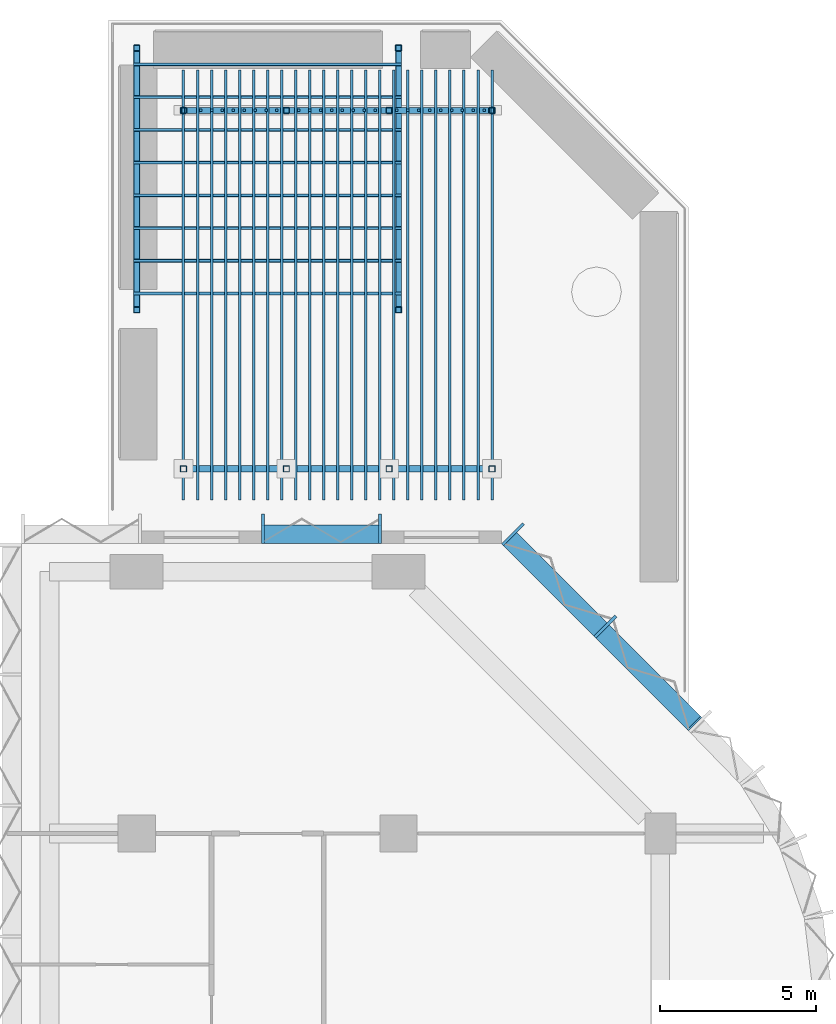
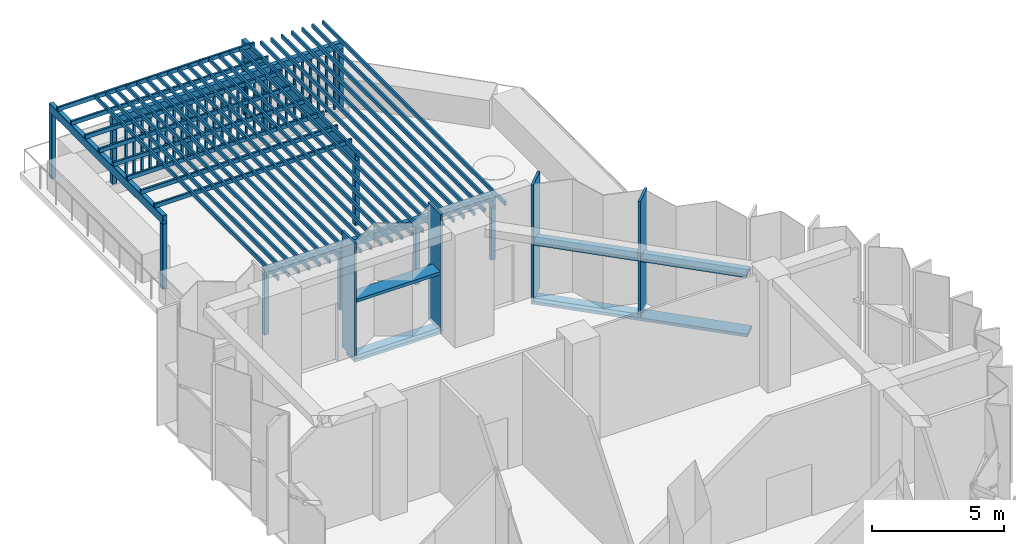
# One storey, part 4 of 15: 81 members, 2 elements without a shape of their own.
"""IFC4 building model written with IfcOpenShell, lengths in metres."""

from ifc_helpers import new_model, si_unit, direction, frame, origin, origin_2d, place, context, subcontext, project, spatial, rectangle, hollow_rectangle, extrude, material, material_profile, profile_set, type_object, element, aggregate, save


model = new_model("IFC4")

# Units and contexts
model_context = context("Model", 3, precision=1e-05, world=origin(), true_north=direction((0.0, 1.0)))
body_context = subcontext(model_context, "Body", "Model", "MODEL_VIEW")
ifc_project = project(units=[si_unit("LENGTHUNIT", "METRE"), si_unit("AREAUNIT", "SQUARE_METRE"), si_unit("VOLUMEUNIT", "CUBIC_METRE"), si_unit("PLANEANGLEUNIT", "RADIAN"), si_unit("MASSUNIT", "GRAM", prefix="KILO")], contexts=[model_context])

# Site, building, storey
site_placement = place(None, origin())
site = spatial("IfcSite", under=ifc_project, at=site_placement, CompositionType="ELEMENT")
building_placement = place(site_placement, origin())
building = spatial("IfcBuilding", under=site, at=building_placement, Name="Brevane Broadcast Tower", CompositionType="ELEMENT")
storey_placement = place(building_placement, frame((0.0, 0.0, 156.5)))
storey = spatial("IfcBuildingStorey", under=building, at=storey_placement, Name="L39", CompositionType="ELEMENT", Elevation=156.5)

# Curtain wall, members
ifc_material_1 = material(Name="Aluminium 6063-T6 bronze anodised", Category="aluminium")
curtain_wall_type = type_object("IfcCurtainWallType", Name="CW-4 curtain wall", PredefinedType="NOTDEFINED", material=ifc_material_1)
curtain_wall_1_placement = place(storey_placement, origin())
curtain_wall_1 = element("IfcCurtainWall", 1, at=curtain_wall_1_placement, inside=storey, type_object=curtain_wall_type, Name="CW-4 sky lobby unit L39 north arm north-east chamfer", PredefinedType="NOTDEFINED")
ifc_material_profile_1 = material_profile(ifc_material_1, rectangle(XDim=0.949951171875, YDim=0.10009765625, at=origin_2d()), Name="RECT 100x950")
ifc_profile_set_1 = profile_set([ifc_material_profile_1], Name="Aluminium 6063-T6 bronze anodised")
member_type_1 = type_object("IfcMemberType", Name="CW-4 mullion 100x950", PredefinedType="MULLION", material=ifc_profile_set_1)
member_1_placement = place(storey_placement, frame((23.435791015625, 48.635986328125, -0.159912109375), z_axis=(0.0, 0.0, 1.0), x_axis=(-0.707106781187, -0.707106781187, 0.0)))
member_1 = element("IfcMember", 2, at=member_1_placement, type_object=member_type_1, Name="CW-4 mullion", PredefinedType="MULLION", context=body_context, shape_type="SweptSolid", body=[
    extrude(rectangle(XDim=0.949951171875, YDim=0.10009765625, at=origin_2d()), origin(), (0.0, 0.0, 1.0), 5.35986328125),
])
member_2_placement = place(storey_placement, frame((20.47119140625, 51.6005859375, -0.159912109375), z_axis=(0.0, 0.0, 1.0), x_axis=(-0.707106781187, -0.707106781187, 0.0)))
member_2 = element("IfcMember", 3, at=member_2_placement, type_object=member_type_1, Name="CW-4 mullion", PredefinedType="MULLION", context=body_context, shape_type="SweptSolid", body=[
    extrude(rectangle(XDim=0.949951171875, YDim=0.10009765625, at=origin_2d()), origin(), (0.0, 0.0, 1.0), 5.35986328125),
])

curtain_wall_2_placement = place(storey_placement, origin())
curtain_wall_2 = element("IfcCurtainWall", 4, at=curtain_wall_2_placement, inside=storey, type_object=curtain_wall_type, Name="CW-4 sky lobby unit L39 north end", PredefinedType="NOTDEFINED")
member_3_placement = place(storey_placement, frame((16.199951171875, 51.77490234375, -0.159912109375), z_axis=(0.0, 0.0, 1.0), x_axis=(0.0, -1.0, 0.0)))
member_3 = element("IfcMember", 5, at=member_3_placement, type_object=member_type_1, Name="CW-4 mullion", PredefinedType="MULLION", context=body_context, shape_type="SweptSolid", body=[
    extrude(rectangle(XDim=0.949951171875, YDim=0.10009765625, at=origin_2d()), origin(), (0.0, 0.0, 1.0), 5.35986328125),
])
member_4_placement = place(storey_placement, frame((12.449951171875, 51.77490234375, -0.159912109375), z_axis=(0.0, 0.0, 1.0), x_axis=(0.0, -1.0, 0.0)))
member_4 = element("IfcMember", 6, at=member_4_placement, type_object=member_type_1, Name="CW-4 mullion", PredefinedType="MULLION", context=body_context, shape_type="SweptSolid", body=[
    extrude(rectangle(XDim=0.949951171875, YDim=0.10009765625, at=origin_2d()), origin(), (0.0, 0.0, 1.0), 5.35986328125),
])

# Member
ifc_material_profile_2 = material_profile(ifc_material_1, rectangle(XDim=0.60009765625, YDim=0.139892578125, at=origin_2d()), Name="RECT 140x600")
ifc_profile_set_2 = profile_set([ifc_material_profile_2], Name="Aluminium 6063-T6 bronze anodised")
member_type_2 = type_object("IfcMemberType", Name="CW-4 transom 140x600", PredefinedType="USERDEFINED", material=ifc_profile_set_2)
member_5_placement = place(storey_placement, frame((26.31201171875, 45.51220703125, -0.22998046875), z_axis=(-0.707106781187, 0.707106781187, 0.0), x_axis=(-0.707106781187, -0.707106781187, 0.0)))
member_5 = element("IfcMember", 7, at=member_5_placement, type_object=member_type_2, Name="CW-4 transom", ObjectType="TRANSOM", PredefinedType="USERDEFINED", context=body_context, shape_type="SweptSolid", body=[
    extrude(rectangle(XDim=0.60009765625, YDim=0.139892578125, at=origin_2d()), origin(), (0.0, 0.0, 1.0), 8.4853515625),
])

member_6_placement = place(storey_placement, frame((26.27685546875, 45.547607421875, 2.5), z_axis=(-0.707136247038, 0.707077314107, 0.0), x_axis=(-0.707077314107, -0.707136247038, 0.0)))
member_6 = element("IfcMember", 8, at=member_6_placement, type_object=member_type_2, Name="CW-4 transom", ObjectType="TRANSOM", PredefinedType="USERDEFINED", context=body_context, shape_type="SweptSolid", body=[
    extrude(rectangle(XDim=0.60009765625, YDim=0.139892578125, at=origin_2d()), origin(), (0.0, 0.0, 1.0), 4.142578125),
])

member_7_placement = place(storey_placement, frame((23.27685546875, 48.547607421875, 2.5), z_axis=(-0.707136247038, 0.707077314107, 0.0), x_axis=(-0.707077314107, -0.707136247038, 0.0)))
member_7 = element("IfcMember", 9, at=member_7_placement, type_object=member_type_2, Name="CW-4 transom", ObjectType="TRANSOM", PredefinedType="USERDEFINED", context=body_context, shape_type="SweptSolid", body=[
    extrude(rectangle(XDim=0.60009765625, YDim=0.139892578125, at=origin_2d()), origin(), (0.0, 0.0, 1.0), 4.142578125),
])

aggregate(curtain_wall_1, [member_1, member_2, member_5, member_6, member_7])

member_8_placement = place(storey_placement, frame((16.25, 51.60009765625, -0.22998046875), z_axis=(-1.0, 0.0, 0.0), x_axis=(0.0, -1.0, 0.0)))
member_8 = element("IfcMember", 10, at=member_8_placement, type_object=member_type_2, Name="CW-4 transom", ObjectType="TRANSOM", PredefinedType="USERDEFINED", context=body_context, shape_type="SweptSolid", body=[
    extrude(rectangle(XDim=0.60009765625, YDim=0.139892578125, at=origin_2d()), origin(), (0.0, 0.0, 1.0), 3.85009765625),
])

member_9_placement = place(storey_placement, frame((16.199951171875, 51.60009765625, 2.5), z_axis=(-1.0, 0.0, 0.0), x_axis=(0.0, -1.0, 0.0)))
member_9 = element("IfcMember", 11, at=member_9_placement, type_object=member_type_2, Name="CW-4 transom", ObjectType="TRANSOM", PredefinedType="USERDEFINED", context=body_context, shape_type="SweptSolid", body=[
    extrude(rectangle(XDim=0.60009765625, YDim=0.139892578125, at=origin_2d()), origin(), (0.0, 0.0, 1.0), 3.75),
])

aggregate(curtain_wall_2, [member_3, member_4, member_8, member_9])

# Members
ifc_material_2 = material(Name="Steel S355", Category="steel")
ifc_material_profile_3 = material_profile(ifc_material_2, hollow_rectangle(XDim=0.199951171875, YDim=0.39990234375, WallThickness=0.010009765625, InnerFilletRadius=0.010009765625, OuterFilletRadius=0.02001953125, at=origin_2d()), Name="RHS 400x200x10")
ifc_profile_set_3 = profile_set([ifc_material_profile_3], Name="Steel S355")
member_type_3 = type_object("IfcMemberType", Name="Sky garden pergola beam RHS 400x200x10 S355", PredefinedType="USERDEFINED", material=ifc_profile_set_3)
for number, where, z_axis, x_axis, name in (
    (12, (8.39990234375, 58.699951171875, 3.199951171875), (0.0, 1.0, 0.0), (-1.0, 0.0, 0.0), "Sky garden pergola beam L39-1"),
    (13, (16.800048828125, 58.699951171875, 3.199951171875), (0.0, 1.0, 0.0), (-1.0, 0.0, 0.0), "Sky garden pergola beam L39-2"),
):
    element("IfcMember", number, at=place(storey_placement, frame(where, z_axis=z_axis, x_axis=x_axis)), inside=storey, type_object=member_type_3, Name=name, ObjectType="PERGOLA BEAM", PredefinedType="USERDEFINED", context=body_context, shape_type="SweptSolid", body=[
        extrude(hollow_rectangle(XDim=0.199951171875, YDim=0.39990234375, WallThickness=0.010009765625, InnerFilletRadius=0.010009765625, OuterFilletRadius=0.02001953125, at=origin_2d()), origin(), (0.0, 0.0, 1.0), 8.60009765625),
    ])
ifc_material_profile_4 = material_profile(ifc_material_2, hollow_rectangle(XDim=0.199951171875, YDim=0.199951171875, WallThickness=0.010009765625, InnerFilletRadius=0.010009765625, OuterFilletRadius=0.02001953125, at=origin_2d()), Name="RHS 200x200x10")
ifc_profile_set_4 = profile_set([ifc_material_profile_4], Name="Steel S355")
member_type_4 = type_object("IfcMemberType", Name="Sky garden pergola post RHS 200x200x10 S355", PredefinedType="POST", material=ifc_profile_set_4)
for number, where, z_axis, x_axis, name in (
    (14, (8.39990234375, 58.800048828125, 0.0), (0.0, 0.0, 1.0), (1.0, 0.0, 0.0), "Sky garden pergola post L39-1"),
    (15, (8.39990234375, 67.199951171875, 0.0), (0.0, 0.0, 1.0), (1.0, 0.0, 0.0), "Sky garden pergola post L39-2"),
    (16, (16.800048828125, 58.800048828125, 0.0), (0.0, 0.0, 1.0), (1.0, 0.0, 0.0), "Sky garden pergola post L39-3"),
    (17, (16.800048828125, 67.199951171875, 0.0), (0.0, 0.0, 1.0), (1.0, 0.0, 0.0), "Sky garden pergola post L39-4"),
):
    element("IfcMember", number, at=place(storey_placement, frame(where, z_axis=z_axis, x_axis=x_axis)), inside=storey, type_object=member_type_4, Name=name, PredefinedType="POST", context=body_context, shape_type="SweptSolid", body=[
        extrude(hollow_rectangle(XDim=0.199951171875, YDim=0.199951171875, WallThickness=0.010009765625, InnerFilletRadius=0.010009765625, OuterFilletRadius=0.02001953125, at=origin_2d()), origin(), (0.0, 0.0, 1.0), 3.0),
    ])
for number, where, z_axis, x_axis, name in (
    (18, (9.89990234375, 53.699951171875, 0.449951171875), (0.0, 0.0, 1.0), (1.0, 0.0, 0.0), "Sky garden trellis post L39-1"),
    (19, (13.199951171875, 53.699951171875, 0.449951171875), (0.0, 0.0, 1.0), (1.0, 0.0, 0.0), "Sky garden trellis post L39-2"),
    (20, (16.5, 53.699951171875, 0.449951171875), (0.0, 0.0, 1.0), (1.0, 0.0, 0.0), "Sky garden trellis post L39-3"),
    (21, (19.800048828125, 53.699951171875, 0.449951171875), (0.0, 0.0, 1.0), (1.0, 0.0, 0.0), "Sky garden trellis post L39-4"),
    (22, (9.89990234375, 65.199951171875, 0.449951171875), (0.0, 0.0, 1.0), (1.0, 0.0, 0.0), "Sky garden trellis post L39-5"),
    (23, (13.199951171875, 65.199951171875, 0.449951171875), (0.0, 0.0, 1.0), (1.0, 0.0, 0.0), "Sky garden trellis post L39-6"),
    (24, (16.5, 65.199951171875, 0.449951171875), (0.0, 0.0, 1.0), (1.0, 0.0, 0.0), "Sky garden trellis post L39-7"),
    (25, (19.800048828125, 65.199951171875, 0.449951171875), (0.0, 0.0, 1.0), (1.0, 0.0, 0.0), "Sky garden trellis post L39-8"),
):
    element("IfcMember", number, at=place(storey_placement, frame(where, z_axis=z_axis, x_axis=x_axis)), inside=storey, type_object=member_type_4, Name=name, PredefinedType="POST", context=body_context, shape_type="SweptSolid", body=[
        extrude(hollow_rectangle(XDim=0.199951171875, YDim=0.199951171875, WallThickness=0.010009765625, InnerFilletRadius=0.010009765625, OuterFilletRadius=0.02001953125, at=origin_2d()), origin(), (0.0, 0.0, 1.0), 2.75),
    ])
ifc_material_profile_5 = material_profile(ifc_material_2, hollow_rectangle(XDim=0.10009765625, YDim=0.199951171875, WallThickness=0.008056640625, InnerFilletRadius=0.008056640625, OuterFilletRadius=0.01611328125, at=origin_2d()), Name="RHS 200x100x8")
ifc_profile_set_5 = profile_set([ifc_material_profile_5], Name="Steel S355")
member_type_5 = type_object("IfcMemberType", Name="Sky garden pergola rafter RHS 200x100x8 S355", PredefinedType="USERDEFINED", material=ifc_profile_set_5)
for number, where, z_axis, x_axis, name in (
    (26, (8.300048828125, 59.324951171875, 3.5), (1.0, 0.0, 0.0), (0.0, 1.0, 0.0), "Sky garden pergola rafter L39-1"),
    (27, (8.300048828125, 60.375, 3.5), (1.0, 0.0, 0.0), (0.0, 1.0, 0.0), "Sky garden pergola rafter L39-2"),
    (28, (8.300048828125, 61.425048828125, 3.5), (1.0, 0.0, 0.0), (0.0, 1.0, 0.0), "Sky garden pergola rafter L39-3"),
    (29, (8.300048828125, 62.47509765625, 3.5), (1.0, 0.0, 0.0), (0.0, 1.0, 0.0), "Sky garden pergola rafter L39-4"),
    (30, (8.300048828125, 63.52490234375, 3.5), (1.0, 0.0, 0.0), (0.0, 1.0, 0.0), "Sky garden pergola rafter L39-5"),
    (31, (8.300048828125, 64.574951171875, 3.5), (1.0, 0.0, 0.0), (0.0, 1.0, 0.0), "Sky garden pergola rafter L39-6"),
    (32, (8.300048828125, 65.625, 3.5), (1.0, 0.0, 0.0), (0.0, 1.0, 0.0), "Sky garden pergola rafter L39-7"),
    (33, (8.300048828125, 66.675048828125, 3.5), (1.0, 0.0, 0.0), (0.0, 1.0, 0.0), "Sky garden pergola rafter L39-8"),
):
    element("IfcMember", number, at=place(storey_placement, frame(where, z_axis=z_axis, x_axis=x_axis)), inside=storey, type_object=member_type_5, Name=name, ObjectType="PERGOLA RAFTER", PredefinedType="USERDEFINED", context=body_context, shape_type="SweptSolid", body=[
        extrude(hollow_rectangle(XDim=0.10009765625, YDim=0.199951171875, WallThickness=0.008056640625, InnerFilletRadius=0.008056640625, OuterFilletRadius=0.01611328125, at=origin_2d()), origin(), (0.0, 0.0, 1.0), 8.599853515625),
    ])
ifc_material_3 = material(Name="Glulam GL28h", Category="wood")
ifc_material_profile_6 = material_profile(ifc_material_3, rectangle(XDim=0.199951171875, YDim=0.300048828125, at=origin_2d()), Name="RECT 200x300")
ifc_profile_set_6 = profile_set([ifc_material_profile_6], Name="Glulam GL28h")
member_type_6 = type_object("IfcMemberType", Name="Sky garden trellis beam glulam 200x300 GL28h", PredefinedType="USERDEFINED", material=ifc_profile_set_6)
for number, where, z_axis, x_axis, name in (
    (34, (9.800048828125, 53.699951171875, 3.35009765625), (1.0, 0.0, 0.0), (0.0, 1.0, 0.0), "Sky garden trellis beam L39-1"),
    (35, (9.800048828125, 65.199951171875, 3.35009765625), (1.0, 0.0, 0.0), (0.0, 1.0, 0.0), "Sky garden trellis beam L39-2"),
):
    element("IfcMember", number, at=place(storey_placement, frame(where, z_axis=z_axis, x_axis=x_axis)), inside=storey, type_object=member_type_6, Name=name, ObjectType="TRELLIS BEAM", PredefinedType="USERDEFINED", context=body_context, shape_type="SweptSolid", body=[
        extrude(rectangle(XDim=0.199951171875, YDim=0.300048828125, at=origin_2d()), origin(), (0.0, 0.0, 1.0), 10.099853515625),
    ])
ifc_material_profile_7 = material_profile(ifc_material_3, rectangle(XDim=0.080078125, YDim=0.179931640625, at=origin_2d()), Name="RECT 80x180")
ifc_profile_set_7 = profile_set([ifc_material_profile_7], Name="Glulam GL28h")
member_type_7 = type_object("IfcMemberType", Name="Sky garden trellis rafter glulam 80x180 GL28h", PredefinedType="USERDEFINED", material=ifc_profile_set_7)
for number, where, z_axis, x_axis, name in (
    (36, (9.89990234375, 52.699951171875, 3.590087890625), (0.0, 1.0, 0.0), (-1.0, 0.0, 0.0), "Sky garden trellis rafter L39-1"),
    (37, (10.35009765625, 52.699951171875, 3.590087890625), (0.0, 1.0, 0.0), (-1.0, 0.0, 0.0), "Sky garden trellis rafter L39-2"),
    (38, (10.800048828125, 52.699951171875, 3.590087890625), (0.0, 1.0, 0.0), (-1.0, 0.0, 0.0), "Sky garden trellis rafter L39-3"),
    (39, (11.25, 52.699951171875, 3.590087890625), (0.0, 1.0, 0.0), (-1.0, 0.0, 0.0), "Sky garden trellis rafter L39-4"),
    (40, (11.699951171875, 52.699951171875, 3.590087890625), (0.0, 1.0, 0.0), (-1.0, 0.0, 0.0), "Sky garden trellis rafter L39-5"),
    (41, (12.14990234375, 52.699951171875, 3.590087890625), (0.0, 1.0, 0.0), (-1.0, 0.0, 0.0), "Sky garden trellis rafter L39-6"),
    (42, (12.60009765625, 52.699951171875, 3.590087890625), (0.0, 1.0, 0.0), (-1.0, 0.0, 0.0), "Sky garden trellis rafter L39-7"),
    (43, (13.050048828125, 52.699951171875, 3.590087890625), (0.0, 1.0, 0.0), (-1.0, 0.0, 0.0), "Sky garden trellis rafter L39-8"),
    (44, (13.5, 52.699951171875, 3.590087890625), (0.0, 1.0, 0.0), (-1.0, 0.0, 0.0), "Sky garden trellis rafter L39-9"),
    (45, (13.949951171875, 52.699951171875, 3.590087890625), (0.0, 1.0, 0.0), (-1.0, 0.0, 0.0), "Sky garden trellis rafter L39-10"),
    (46, (14.39990234375, 52.699951171875, 3.590087890625), (0.0, 1.0, 0.0), (-1.0, 0.0, 0.0), "Sky garden trellis rafter L39-11"),
    (47, (14.85009765625, 52.699951171875, 3.590087890625), (0.0, 1.0, 0.0), (-1.0, 0.0, 0.0), "Sky garden trellis rafter L39-12"),
    (48, (15.300048828125, 52.699951171875, 3.590087890625), (0.0, 1.0, 0.0), (-1.0, 0.0, 0.0), "Sky garden trellis rafter L39-13"),
    (49, (15.75, 52.699951171875, 3.590087890625), (0.0, 1.0, 0.0), (-1.0, 0.0, 0.0), "Sky garden trellis rafter L39-14"),
    (50, (16.199951171875, 52.699951171875, 3.590087890625), (0.0, 1.0, 0.0), (-1.0, 0.0, 0.0), "Sky garden trellis rafter L39-15"),
    (51, (16.64990234375, 52.699951171875, 3.590087890625), (0.0, 1.0, 0.0), (-1.0, 0.0, 0.0), "Sky garden trellis rafter L39-16"),
    (52, (17.10009765625, 52.699951171875, 3.590087890625), (0.0, 1.0, 0.0), (-1.0, 0.0, 0.0), "Sky garden trellis rafter L39-17"),
    (53, (17.550048828125, 52.699951171875, 3.590087890625), (0.0, 1.0, 0.0), (-1.0, 0.0, 0.0), "Sky garden trellis rafter L39-18"),
    (54, (18.0, 52.699951171875, 3.590087890625), (0.0, 1.0, 0.0), (-1.0, 0.0, 0.0), "Sky garden trellis rafter L39-19"),
    (55, (18.449951171875, 52.699951171875, 3.590087890625), (0.0, 1.0, 0.0), (-1.0, 0.0, 0.0), "Sky garden trellis rafter L39-20"),
    (56, (18.89990234375, 52.699951171875, 3.590087890625), (0.0, 1.0, 0.0), (-1.0, 0.0, 0.0), "Sky garden trellis rafter L39-21"),
    (57, (19.35009765625, 52.699951171875, 3.590087890625), (0.0, 1.0, 0.0), (-1.0, 0.0, 0.0), "Sky garden trellis rafter L39-22"),
    (58, (19.800048828125, 52.699951171875, 3.590087890625), (0.0, 1.0, 0.0), (-1.0, 0.0, 0.0), "Sky garden trellis rafter L39-23"),
):
    element("IfcMember", number, at=place(storey_placement, frame(where, z_axis=z_axis, x_axis=x_axis)), inside=storey, type_object=member_type_7, Name=name, ObjectType="TRELLIS RAFTER", PredefinedType="USERDEFINED", context=body_context, shape_type="SweptSolid", body=[
        extrude(rectangle(XDim=0.080078125, YDim=0.179931640625, at=origin_2d()), origin(), (0.0, 0.0, 1.0), 13.800048828125),
    ])
ifc_material_profile_8 = material_profile(ifc_material_3, rectangle(XDim=0.080078125, YDim=0.080078125, at=origin_2d()), Name="RECT 80x80")
ifc_profile_set_8 = profile_set([ifc_material_profile_8], Name="Glulam GL28h")
member_type_8 = type_object("IfcMemberType", Name="Sky garden trellis slat glulam 80x80 GL28h", PredefinedType="USERDEFINED", material=ifc_profile_set_8)
for number, where, z_axis, x_axis, name in (
    (59, (10.449951171875, 65.199951171875, 0.449951171875), (0.0, 0.0, 1.0), (1.0, 0.0, 0.0), "Sky garden trellis slat L39-1"),
    (60, (10.800048828125, 65.199951171875, 0.449951171875), (0.0, 0.0, 1.0), (1.0, 0.0, 0.0), "Sky garden trellis slat L39-2"),
    (61, (11.14990234375, 65.199951171875, 0.449951171875), (0.0, 0.0, 1.0), (1.0, 0.0, 0.0), "Sky garden trellis slat L39-3"),
    (62, (11.5, 65.199951171875, 0.449951171875), (0.0, 0.0, 1.0), (1.0, 0.0, 0.0), "Sky garden trellis slat L39-4"),
    (63, (11.85009765625, 65.199951171875, 0.449951171875), (0.0, 0.0, 1.0), (1.0, 0.0, 0.0), "Sky garden trellis slat L39-5"),
    (64, (12.199951171875, 65.199951171875, 0.449951171875), (0.0, 0.0, 1.0), (1.0, 0.0, 0.0), "Sky garden trellis slat L39-6"),
    (65, (12.550048828125, 65.199951171875, 0.449951171875), (0.0, 0.0, 1.0), (1.0, 0.0, 0.0), "Sky garden trellis slat L39-7"),
    (66, (12.89990234375, 65.199951171875, 0.449951171875), (0.0, 0.0, 1.0), (1.0, 0.0, 0.0), "Sky garden trellis slat L39-8"),
    (67, (13.60009765625, 65.199951171875, 0.449951171875), (0.0, 0.0, 1.0), (1.0, 0.0, 0.0), "Sky garden trellis slat L39-9"),
    (68, (13.949951171875, 65.199951171875, 0.449951171875), (0.0, 0.0, 1.0), (1.0, 0.0, 0.0), "Sky garden trellis slat L39-10"),
    (69, (14.300048828125, 65.199951171875, 0.449951171875), (0.0, 0.0, 1.0), (1.0, 0.0, 0.0), "Sky garden trellis slat L39-11"),
    (70, (14.64990234375, 65.199951171875, 0.449951171875), (0.0, 0.0, 1.0), (1.0, 0.0, 0.0), "Sky garden trellis slat L39-12"),
    (71, (15.0, 65.199951171875, 0.449951171875), (0.0, 0.0, 1.0), (1.0, 0.0, 0.0), "Sky garden trellis slat L39-13"),
    (72, (15.35009765625, 65.199951171875, 0.449951171875), (0.0, 0.0, 1.0), (1.0, 0.0, 0.0), "Sky garden trellis slat L39-14"),
    (73, (15.699951171875, 65.199951171875, 0.449951171875), (0.0, 0.0, 1.0), (1.0, 0.0, 0.0), "Sky garden trellis slat L39-15"),
    (74, (16.050048828125, 65.199951171875, 0.449951171875), (0.0, 0.0, 1.0), (1.0, 0.0, 0.0), "Sky garden trellis slat L39-16"),
    (75, (16.75, 65.199951171875, 0.449951171875), (0.0, 0.0, 1.0), (1.0, 0.0, 0.0), "Sky garden trellis slat L39-17"),
    (76, (17.10009765625, 65.199951171875, 0.449951171875), (0.0, 0.0, 1.0), (1.0, 0.0, 0.0), "Sky garden trellis slat L39-18"),
    (77, (17.449951171875, 65.199951171875, 0.449951171875), (0.0, 0.0, 1.0), (1.0, 0.0, 0.0), "Sky garden trellis slat L39-19"),
    (78, (17.800048828125, 65.199951171875, 0.449951171875), (0.0, 0.0, 1.0), (1.0, 0.0, 0.0), "Sky garden trellis slat L39-20"),
    (79, (18.14990234375, 65.199951171875, 0.449951171875), (0.0, 0.0, 1.0), (1.0, 0.0, 0.0), "Sky garden trellis slat L39-21"),
    (80, (18.5, 65.199951171875, 0.449951171875), (0.0, 0.0, 1.0), (1.0, 0.0, 0.0), "Sky garden trellis slat L39-22"),
    (81, (18.85009765625, 65.199951171875, 0.449951171875), (0.0, 0.0, 1.0), (1.0, 0.0, 0.0), "Sky garden trellis slat L39-23"),
    (82, (19.199951171875, 65.199951171875, 0.449951171875), (0.0, 0.0, 1.0), (1.0, 0.0, 0.0), "Sky garden trellis slat L39-24"),
    (83, (19.550048828125, 65.199951171875, 0.449951171875), (0.0, 0.0, 1.0), (1.0, 0.0, 0.0), "Sky garden trellis slat L39-25"),
):
    element("IfcMember", number, at=place(storey_placement, frame(where, z_axis=z_axis, x_axis=x_axis)), inside=storey, type_object=member_type_8, Name=name, ObjectType="TRELLIS SLAT", PredefinedType="USERDEFINED", context=body_context, shape_type="SweptSolid", body=[
        extrude(rectangle(XDim=0.080078125, YDim=0.080078125, at=origin_2d()), origin(), (0.0, 0.0, 1.0), 2.75),
    ])

save(model, "model.ifc")
